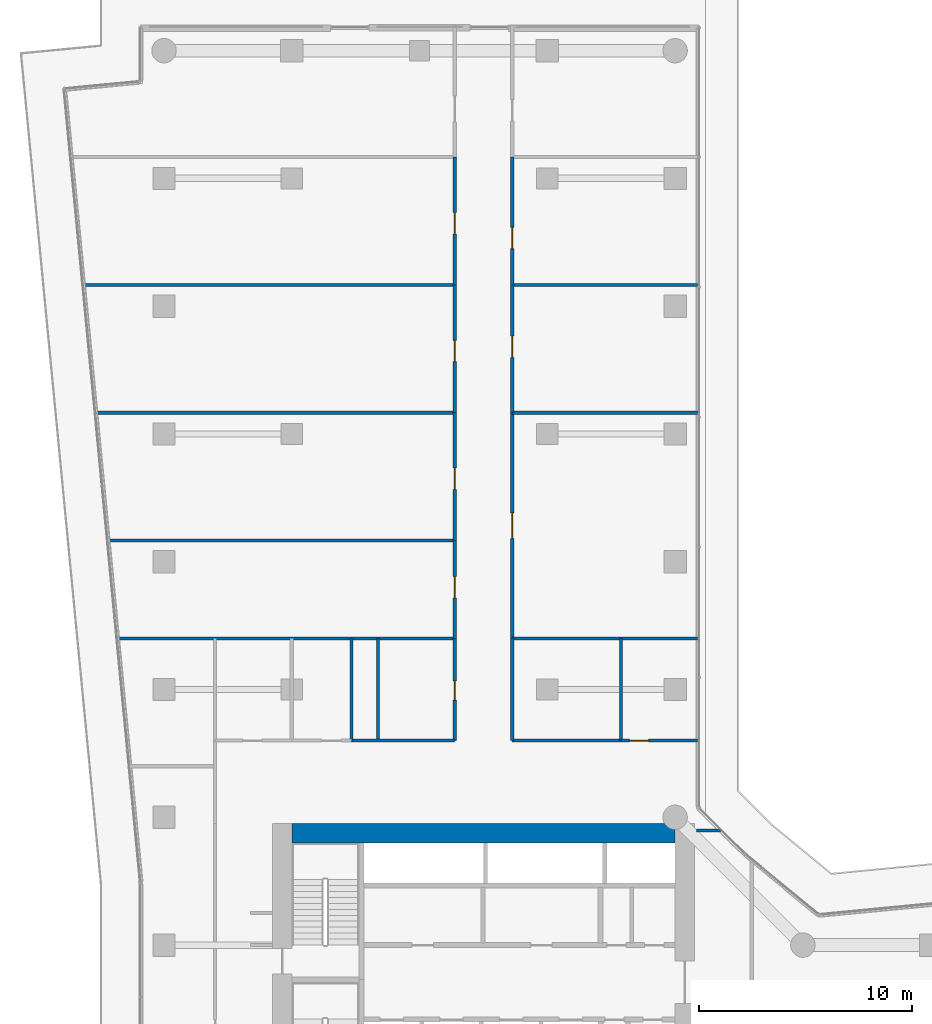
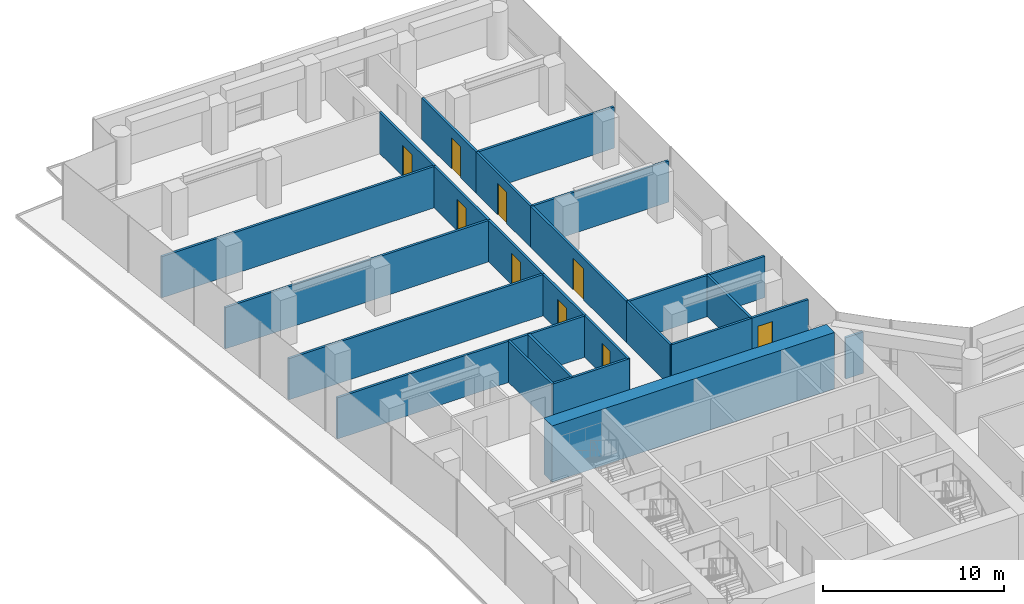
# One storey, part 26 of 30: 24 walls, 9 doors, 9 openings.
"""IFC4 building model written with IfcOpenShell, lengths in metres."""

from ifc_helpers import new_model, si_unit, direction, frame, frame_2d, origin, place, context, subcontext, project, spatial, rectangle, extrude, material, layer, layer_set, type_object, element, fill, save


model = new_model("IFC4")

# Units and contexts
model_context = context("Model", 3, precision=1e-05, world=origin(), true_north=direction((0.0, 1.0)))
body_context = subcontext(model_context, "Body", "Model", "MODEL_VIEW")
ifc_project = project(units=[si_unit("LENGTHUNIT", "METRE"), si_unit("AREAUNIT", "SQUARE_METRE"), si_unit("VOLUMEUNIT", "CUBIC_METRE"), si_unit("PLANEANGLEUNIT", "RADIAN"), si_unit("MASSUNIT", "GRAM", prefix="KILO")], contexts=[model_context])

# Site, building, storey
site_placement = place(None, origin())
site = spatial("IfcSite", under=ifc_project, at=site_placement, CompositionType="ELEMENT")
building_placement = place(site_placement, origin())
building = spatial("IfcBuilding", under=site, at=building_placement, Name="Welwitschia Terrace Campus", CompositionType="ELEMENT")
storey_placement = place(building_placement, frame((0.0, 0.0, 75.199951171875)))
storey = spatial("IfcBuildingStorey", under=building, at=storey_placement, Name="L17", CompositionType="ELEMENT", Elevation=75.199951171875)

# Walls
ifc_material_1 = material(Name="Concrete C70/85", Category="concrete")
ifc_layer_1 = layer(ifc_material_1, 0.89990234375)
ifc_layer_set_1 = layer_set([ifc_layer_1], Name="Concrete C70/85")
wall_type_1 = type_object("IfcWallType", Name="Core wall 900 Concrete C70/85", PredefinedType="SHEAR", material=ifc_layer_set_1)
wall_1_placement = place(storey_placement, frame((6.0, 25.25, 0.0), z_axis=(0.0, 0.0, 1.0), x_axis=(1.0, 0.0, 0.0)))
element("IfcWall", 1, at=wall_1_placement, inside=storey, type_object=wall_type_1, Name="Core outer wall", PredefinedType="SHEAR", context=body_context, shape_type="SweptSolid", body=[
    extrude(rectangle(XDim=18.0, YDim=0.89990234375, at=frame_2d((9.0, 0.0))), origin(), (0.0, 0.0, 1.0), 3.800048828125),
])
ifc_material_2 = material(Name="Gypsum board on steel studs", Category="steel")
ifc_layer_2 = layer(ifc_material_2, 0.14990234375)
ifc_layer_set_2 = layer_set([ifc_layer_2], Name="Gypsum board on steel studs")
wall_type_2 = type_object("IfcWallType", Name="Corridor partition 150 EI 30", PredefinedType="PARTITIONING", material=ifc_layer_set_2)
wall_2_placement = place(storey_placement, frame((-3.77001953125, 51.0, 0.0), z_axis=(0.0, 0.0, 1.0), x_axis=(1.0, 0.0, 0.0)))
element("IfcWall", 2, at=wall_2_placement, inside=storey, type_object=wall_type_2, Name="Partition", PredefinedType="PARTITIONING", context=body_context, shape_type="SweptSolid", body=[
    extrude(rectangle(XDim=17.419921875, YDim=0.14990234375, at=frame_2d((8.7099609375, 0.0))), origin(), (0.0, 0.0, 1.0), 2.780029296875),
])
wall_3_placement = place(storey_placement, frame((-3.18994140625, 45.0, 0.0), z_axis=(0.0, 0.0, 1.0), x_axis=(1.0, 0.0, 0.0)))
element("IfcWall", 3, at=wall_3_placement, inside=storey, type_object=wall_type_2, Name="Partition", PredefinedType="PARTITIONING", context=body_context, shape_type="SweptSolid", body=[
    extrude(rectangle(XDim=16.83984375, YDim=0.14990234375, at=frame_2d((8.419921875, 0.0))), origin(), (0.0, 0.0, 1.0), 2.780029296875),
])
wall_4_placement = place(storey_placement, frame((-2.610107421875, 39.0, 0.0), z_axis=(0.0, 0.0, 1.0), x_axis=(1.0, 0.0, 0.0)))
element("IfcWall", 4, at=wall_4_placement, inside=storey, type_object=wall_type_2, Name="Partition", PredefinedType="PARTITIONING", context=body_context, shape_type="SweptSolid", body=[
    extrude(rectangle(XDim=16.260009765625, YDim=0.14990234375, at=frame_2d((8.1298828125, 0.0))), origin(), (0.0, 0.0, 1.0), 2.780029296875),
])
wall_5_placement = place(storey_placement, frame((-2.169921875, 34.39990234375, 0.0), z_axis=(0.0, 0.0, 1.0), x_axis=(1.0, 0.0, 0.0)))
element("IfcWall", 5, at=wall_5_placement, inside=storey, type_object=wall_type_2, Name="Partition", PredefinedType="PARTITIONING", context=body_context, shape_type="SweptSolid", body=[
    extrude(rectangle(XDim=15.81982421875, YDim=0.14990234375, at=frame_2d((7.909912109375, 0.0))), origin(), (0.0, 0.0, 1.0), 2.780029296875),
])
wall_6_placement = place(storey_placement, frame((8.800048828125, 29.60009765625, 0.0), z_axis=(0.0, 0.0, 1.0), x_axis=(0.0, 1.0, 0.0)))
element("IfcWall", 6, at=wall_6_placement, inside=storey, type_object=wall_type_2, Name="Partition", PredefinedType="PARTITIONING", context=body_context, shape_type="SweptSolid", body=[
    extrude(rectangle(XDim=4.7998046875, YDim=0.14990234375, at=frame_2d((2.39990234375, 0.0))), origin(), (0.0, 0.0, 1.0), 2.780029296875),
])
wall_7_placement = place(storey_placement, frame((8.800048828125, 29.60009765625, 0.0), z_axis=(0.0, 0.0, 1.0), x_axis=(1.0, 0.0, 0.0)))
element("IfcWall", 7, at=wall_7_placement, inside=storey, type_object=wall_type_2, Name="Partition", PredefinedType="PARTITIONING", context=body_context, shape_type="SweptSolid", body=[
    extrude(rectangle(XDim=4.849853515625, YDim=0.14990234375, at=frame_2d((2.4248046875, 0.0))), origin(), (0.0, 0.0, 1.0), 2.780029296875),
])
wall_8_placement = place(storey_placement, frame((10.050048828125, 29.60009765625, 0.0), z_axis=(0.0, 0.0, 1.0), x_axis=(0.0, 1.0, 0.0)))
element("IfcWall", 8, at=wall_8_placement, inside=storey, type_object=wall_type_2, Name="Partition", PredefinedType="PARTITIONING", context=body_context, shape_type="SweptSolid", body=[
    extrude(rectangle(XDim=4.7998046875, YDim=0.14990234375, at=frame_2d((2.39990234375, 0.0))), origin(), (0.0, 0.0, 1.0), 2.780029296875),
])

# Wall, opening, door
wall_9_placement = place(storey_placement, frame((13.64990234375, 29.60009765625, 0.0), z_axis=(0.0, 0.0, 1.0), x_axis=(0.0, 1.0, 0.0)))
wall_9 = element("IfcWall", 9, at=wall_9_placement, inside=storey, type_object=wall_type_2, Name="Partition", PredefinedType="PARTITIONING", context=body_context, shape_type="SweptSolid", body=[
    extrude(rectangle(XDim=4.7998046875, YDim=0.14990234375, at=frame_2d((2.39990234375, 0.0))), origin(), (0.0, 0.0, 1.0), 2.780029296875),
])
opening_1_placement = place(wall_9_placement, frame((1.89990234375, 0.0, 0.0)))
opening_1 = element("IfcOpeningElement", 10, at=opening_1_placement, cuts=wall_9, Name="Opening DI09", PredefinedType="OPENING", context=body_context, shape_type="SweptSolid", body=[
    extrude(rectangle(XDim=0.89990234375, YDim=2.10009765625, at=frame_2d((0.449951171875, 1.050048828125))), frame((0.0, 0.0849609375, 0.0), z_axis=(0.0, -1.0, 0.0), x_axis=(1.0, 0.0, 0.0)), (0.0, 0.0, 1.0), 0.169921875),
])
ifc_material_3 = material(Name="Timber veneered door", Category="wood")
door_type_1 = type_object("IfcDoorType", Name="Interior door DI09", OperationType="NOTDEFINED", PredefinedType="DOOR", material=ifc_material_3)
door_1_placement = place(opening_1_placement, origin())
door_1 = element("IfcDoor", 11, at=door_1_placement, inside=storey, type_object=door_type_1, Name="Door L17 387", OperationType="SINGLE_SWING_RIGHT", OverallHeight=2.10009765625, OverallWidth=0.89990234375, PredefinedType="DOOR", context=body_context, shape_type="SweptSolid", body=[
    extrude(rectangle(XDim=0.89990234375, YDim=2.10009765625, at=frame_2d((0.449951171875, 1.050048828125))), frame((0.0, 0.02490234375, 0.0), z_axis=(0.0, -1.0, 0.0), x_axis=(1.0, 0.0, 0.0)), (0.0, 0.0, 1.0), 0.050048828125),
])
fill(opening_1, door_1)

wall_10_placement = place(storey_placement, frame((13.64990234375, 34.39990234375, 0.0), z_axis=(0.0, 0.0, 1.0), x_axis=(0.0, 1.0, 0.0)))
wall_10 = element("IfcWall", 12, at=wall_10_placement, inside=storey, type_object=wall_type_2, Name="Partition", PredefinedType="PARTITIONING", context=body_context, shape_type="SweptSolid", body=[
    extrude(rectangle(XDim=4.60009765625, YDim=0.14990234375, at=frame_2d((2.300048828125, 0.0))), origin(), (0.0, 0.0, 1.0), 2.780029296875),
])
opening_2_placement = place(wall_10_placement, frame((1.89990234375, 0.0, 0.0)))
opening_2 = element("IfcOpeningElement", 13, at=opening_2_placement, cuts=wall_10, Name="Opening DI10", PredefinedType="OPENING", context=body_context, shape_type="SweptSolid", body=[
    extrude(rectangle(XDim=1.0, YDim=2.10009765625, at=frame_2d((0.5, 1.050048828125))), frame((0.0, 0.0849609375, 0.0), z_axis=(0.0, -1.0, 0.0), x_axis=(1.0, 0.0, 0.0)), (0.0, 0.0, 1.0), 0.169921875),
])
ifc_material_4 = material(Name="Timber veneered door", Category="wood")
door_type_2 = type_object("IfcDoorType", Name="Interior door DI10", OperationType="NOTDEFINED", PredefinedType="DOOR", material=ifc_material_4)
door_2_placement = place(opening_2_placement, origin())
door_2 = element("IfcDoor", 14, at=door_2_placement, inside=storey, type_object=door_type_2, Name="Door L17 388", OperationType="SINGLE_SWING_LEFT", OverallHeight=2.10009765625, OverallWidth=1.0, PredefinedType="DOOR", context=body_context, shape_type="SweptSolid", body=[
    extrude(rectangle(XDim=1.0, YDim=2.10009765625, at=frame_2d((0.5, 1.050048828125))), frame((0.0, 0.02490234375, 0.0), z_axis=(0.0, -1.0, 0.0), x_axis=(1.0, 0.0, 0.0)), (0.0, 0.0, 1.0), 0.050048828125),
])
fill(opening_2, door_2)

wall_11_placement = place(storey_placement, frame((13.64990234375, 39.0, 0.0), z_axis=(0.0, 0.0, 1.0), x_axis=(0.0, 1.0, 0.0)))
wall_11 = element("IfcWall", 15, at=wall_11_placement, inside=storey, type_object=wall_type_2, Name="Partition", PredefinedType="PARTITIONING", context=body_context, shape_type="SweptSolid", body=[
    extrude(rectangle(XDim=6.0, YDim=0.14990234375, at=frame_2d((3.0, 0.0))), origin(), (0.0, 0.0, 1.0), 2.780029296875),
])
opening_3_placement = place(wall_11_placement, frame((2.39990234375, 0.0, 0.0)))
opening_3 = element("IfcOpeningElement", 16, at=opening_3_placement, cuts=wall_11, Name="Opening DI10", PredefinedType="OPENING", context=body_context, shape_type="SweptSolid", body=[
    extrude(rectangle(XDim=1.0, YDim=2.10009765625, at=frame_2d((0.5, 1.050048828125))), frame((0.0, 0.0849609375, 0.0), z_axis=(0.0, -1.0, 0.0), x_axis=(1.0, 0.0, 0.0)), (0.0, 0.0, 1.0), 0.169921875),
])
door_3_placement = place(opening_3_placement, origin())
door_3 = element("IfcDoor", 17, at=door_3_placement, inside=storey, type_object=door_type_2, Name="Door L17 389", OperationType="SINGLE_SWING_RIGHT", OverallHeight=2.10009765625, OverallWidth=1.0, PredefinedType="DOOR", context=body_context, shape_type="SweptSolid", body=[
    extrude(rectangle(XDim=1.0, YDim=2.10009765625, at=frame_2d((0.5, 1.050048828125))), frame((0.0, 0.02490234375, 0.0), z_axis=(0.0, -1.0, 0.0), x_axis=(1.0, 0.0, 0.0)), (0.0, 0.0, 1.0), 0.050048828125),
])
fill(opening_3, door_3)

wall_12_placement = place(storey_placement, frame((13.64990234375, 45.0, 0.0), z_axis=(0.0, 0.0, 1.0), x_axis=(0.0, 1.0, 0.0)))
wall_12 = element("IfcWall", 18, at=wall_12_placement, inside=storey, type_object=wall_type_2, Name="Partition", PredefinedType="PARTITIONING", context=body_context, shape_type="SweptSolid", body=[
    extrude(rectangle(XDim=6.0, YDim=0.14990234375, at=frame_2d((3.0, 0.0))), origin(), (0.0, 0.0, 1.0), 2.780029296875),
])
opening_4_placement = place(wall_12_placement, frame((2.39990234375, 0.0, 0.0)))
opening_4 = element("IfcOpeningElement", 19, at=opening_4_placement, cuts=wall_12, Name="Opening DI10", PredefinedType="OPENING", context=body_context, shape_type="SweptSolid", body=[
    extrude(rectangle(XDim=1.0, YDim=2.10009765625, at=frame_2d((0.5, 1.050048828125))), frame((0.0, 0.0849609375, 0.0), z_axis=(0.0, -1.0, 0.0), x_axis=(1.0, 0.0, 0.0)), (0.0, 0.0, 1.0), 0.169921875),
])
door_4_placement = place(opening_4_placement, origin())
door_4 = element("IfcDoor", 20, at=door_4_placement, inside=storey, type_object=door_type_2, Name="Door L17 390", OperationType="SINGLE_SWING_LEFT", OverallHeight=2.10009765625, OverallWidth=1.0, PredefinedType="DOOR", context=body_context, shape_type="SweptSolid", body=[
    extrude(rectangle(XDim=1.0, YDim=2.10009765625, at=frame_2d((0.5, 1.050048828125))), frame((0.0, 0.02490234375, 0.0), z_axis=(0.0, -1.0, 0.0), x_axis=(1.0, 0.0, 0.0)), (0.0, 0.0, 1.0), 0.050048828125),
])
fill(opening_4, door_4)

wall_13_placement = place(storey_placement, frame((13.64990234375, 51.0, 0.0), z_axis=(0.0, 0.0, 1.0), x_axis=(0.0, 1.0, 0.0)))
wall_13 = element("IfcWall", 21, at=wall_13_placement, inside=storey, type_object=wall_type_2, Name="Partition", PredefinedType="PARTITIONING", context=body_context, shape_type="SweptSolid", body=[
    extrude(rectangle(XDim=6.0, YDim=0.14990234375, at=frame_2d((3.0, 0.0))), origin(), (0.0, 0.0, 1.0), 2.780029296875),
])
opening_5_placement = place(wall_13_placement, frame((2.39990234375, 0.0, 0.0)))
opening_5 = element("IfcOpeningElement", 22, at=opening_5_placement, cuts=wall_13, Name="Opening DI10", PredefinedType="OPENING", context=body_context, shape_type="SweptSolid", body=[
    extrude(rectangle(XDim=1.0, YDim=2.10009765625, at=frame_2d((0.5, 1.050048828125))), frame((0.0, 0.0849609375, 0.0), z_axis=(0.0, -1.0, 0.0), x_axis=(1.0, 0.0, 0.0)), (0.0, 0.0, 1.0), 0.169921875),
])
door_5_placement = place(opening_5_placement, origin())
door_5 = element("IfcDoor", 23, at=door_5_placement, inside=storey, type_object=door_type_2, Name="Door L17 391", OperationType="SINGLE_SWING_RIGHT", OverallHeight=2.10009765625, OverallWidth=1.0, PredefinedType="DOOR", context=body_context, shape_type="SweptSolid", body=[
    extrude(rectangle(XDim=1.0, YDim=2.10009765625, at=frame_2d((0.5, 1.050048828125))), frame((0.0, 0.02490234375, 0.0), z_axis=(0.0, -1.0, 0.0), x_axis=(1.0, 0.0, 0.0)), (0.0, 0.0, 1.0), 0.050048828125),
])
fill(opening_5, door_5)

# Walls
wall_14_placement = place(storey_placement, frame((16.35009765625, 29.60009765625, 0.0), z_axis=(0.0, 0.0, 1.0), x_axis=(0.0, 1.0, 0.0)))
element("IfcWall", 24, at=wall_14_placement, inside=storey, type_object=wall_type_2, Name="Partition", PredefinedType="PARTITIONING", context=body_context, shape_type="SweptSolid", body=[
    extrude(rectangle(XDim=4.7998046875, YDim=0.14990234375, at=frame_2d((2.39990234375, 0.0))), origin(), (0.0, 0.0, 1.0), 2.780029296875),
])
wall_15_placement = place(storey_placement, frame((16.35009765625, 29.60009765625, 0.0), z_axis=(0.0, 0.0, 1.0), x_axis=(1.0, 0.0, 0.0)))
element("IfcWall", 25, at=wall_15_placement, inside=storey, type_object=wall_type_2, Name="Partition", PredefinedType="PARTITIONING", context=body_context, shape_type="SweptSolid", body=[
    extrude(rectangle(XDim=5.10986328125, YDim=0.14990234375, at=frame_2d((2.554931640625, 0.0))), origin(), (0.0, 0.0, 1.0), 2.780029296875),
])
wall_16_placement = place(storey_placement, frame((16.35009765625, 34.39990234375, 0.0), z_axis=(0.0, 0.0, 1.0), x_axis=(1.0, 0.0, 0.0)))
element("IfcWall", 26, at=wall_16_placement, inside=storey, type_object=wall_type_2, Name="Partition", PredefinedType="PARTITIONING", context=body_context, shape_type="SweptSolid", body=[
    extrude(rectangle(XDim=8.7099609375, YDim=0.14990234375, at=frame_2d((4.35498046875, 0.0))), origin(), (0.0, 0.0, 1.0), 2.780029296875),
])

# Wall, opening, door
wall_17_placement = place(storey_placement, frame((16.35009765625, 45.0, 0.0), z_axis=(0.0, 0.0, 1.0), x_axis=(0.0, -1.0, 0.0)))
wall_17 = element("IfcWall", 27, at=wall_17_placement, inside=storey, type_object=wall_type_2, Name="Partition", PredefinedType="PARTITIONING", context=body_context, shape_type="SweptSolid", body=[
    extrude(rectangle(XDim=10.60009765625, YDim=0.14990234375, at=frame_2d((5.300048828125, 0.0))), origin(), (0.0, 0.0, 1.0), 2.780029296875),
])
opening_6_placement = place(wall_17_placement, frame((4.699951171875, 0.0, 0.0)))
opening_6 = element("IfcOpeningElement", 28, at=opening_6_placement, cuts=wall_17, Name="Opening DI12", PredefinedType="OPENING", context=body_context, shape_type="SweptSolid", body=[
    extrude(rectangle(XDim=1.199951171875, YDim=2.10009765625, at=frame_2d((0.60009765625, 1.050048828125))), frame((0.0, 0.0849609375, 0.0), z_axis=(0.0, -1.0, 0.0), x_axis=(1.0, 0.0, 0.0)), (0.0, 0.0, 1.0), 0.169921875),
])
ifc_material_5 = material(Name="Timber veneered door", Category="wood")
door_type_3 = type_object("IfcDoorType", Name="Interior door DI12", OperationType="NOTDEFINED", PredefinedType="DOOR", material=ifc_material_5)
door_6_placement = place(opening_6_placement, origin())
door_6 = element("IfcDoor", 29, at=door_6_placement, inside=storey, type_object=door_type_3, Name="Door L17 393", OperationType="SINGLE_SWING_RIGHT", OverallHeight=2.10009765625, OverallWidth=1.199951171875, PredefinedType="DOOR", context=body_context, shape_type="SweptSolid", body=[
    extrude(rectangle(XDim=1.199951171875, YDim=2.10009765625, at=frame_2d((0.60009765625, 1.050048828125))), frame((0.0, 0.02490234375, 0.0), z_axis=(0.0, -1.0, 0.0), x_axis=(1.0, 0.0, 0.0)), (0.0, 0.0, 1.0), 0.050048828125),
])
fill(opening_6, door_6)

# Wall
wall_18_placement = place(storey_placement, frame((16.35009765625, 45.0, 0.0), z_axis=(0.0, 0.0, 1.0), x_axis=(1.0, 0.0, 0.0)))
element("IfcWall", 30, at=wall_18_placement, inside=storey, type_object=wall_type_2, Name="Partition", PredefinedType="PARTITIONING", context=body_context, shape_type="SweptSolid", body=[
    extrude(rectangle(XDim=8.7099609375, YDim=0.14990234375, at=frame_2d((4.35498046875, 0.0))), origin(), (0.0, 0.0, 1.0), 2.780029296875),
])

# Wall, opening, door
wall_19_placement = place(storey_placement, frame((16.35009765625, 51.0, 0.0), z_axis=(0.0, 0.0, 1.0), x_axis=(0.0, -1.0, 0.0)))
wall_19 = element("IfcWall", 31, at=wall_19_placement, inside=storey, type_object=wall_type_2, Name="Partition", PredefinedType="PARTITIONING", context=body_context, shape_type="SweptSolid", body=[
    extrude(rectangle(XDim=6.0, YDim=0.14990234375, at=frame_2d((3.0, 0.0))), origin(), (0.0, 0.0, 1.0), 2.780029296875),
])
opening_7_placement = place(wall_19_placement, frame((2.39990234375, 0.0, 0.0)))
opening_7 = element("IfcOpeningElement", 32, at=opening_7_placement, cuts=wall_19, Name="Opening DI10", PredefinedType="OPENING", context=body_context, shape_type="SweptSolid", body=[
    extrude(rectangle(XDim=1.0, YDim=2.10009765625, at=frame_2d((0.5, 1.050048828125))), frame((0.0, 0.0849609375, 0.0), z_axis=(0.0, -1.0, 0.0), x_axis=(1.0, 0.0, 0.0)), (0.0, 0.0, 1.0), 0.169921875),
])
door_7_placement = place(opening_7_placement, origin())
door_7 = element("IfcDoor", 33, at=door_7_placement, inside=storey, type_object=door_type_2, Name="Door L17 394", OperationType="SINGLE_SWING_LEFT", OverallHeight=2.10009765625, OverallWidth=1.0, PredefinedType="DOOR", context=body_context, shape_type="SweptSolid", body=[
    extrude(rectangle(XDim=1.0, YDim=2.10009765625, at=frame_2d((0.5, 1.050048828125))), frame((0.0, 0.02490234375, 0.0), z_axis=(0.0, -1.0, 0.0), x_axis=(1.0, 0.0, 0.0)), (0.0, 0.0, 1.0), 0.050048828125),
])
fill(opening_7, door_7)

# Wall
wall_20_placement = place(storey_placement, frame((16.35009765625, 51.0, 0.0), z_axis=(0.0, 0.0, 1.0), x_axis=(1.0, 0.0, 0.0)))
element("IfcWall", 34, at=wall_20_placement, inside=storey, type_object=wall_type_2, Name="Partition", PredefinedType="PARTITIONING", context=body_context, shape_type="SweptSolid", body=[
    extrude(rectangle(XDim=8.698974609375, YDim=0.14990234375, at=frame_2d((4.349609375, 0.0))), origin(), (0.0, 0.0, 1.0), 2.780029296875),
])

# Wall, opening, door
wall_21_placement = place(storey_placement, frame((16.35009765625, 57.0, 0.0), z_axis=(0.0, 0.0, 1.0), x_axis=(0.0, -1.0, 0.0)))
wall_21 = element("IfcWall", 35, at=wall_21_placement, inside=storey, type_object=wall_type_2, Name="Partition", PredefinedType="PARTITIONING", context=body_context, shape_type="SweptSolid", body=[
    extrude(rectangle(XDim=6.0, YDim=0.14990234375, at=frame_2d((3.0, 0.0))), origin(), (0.0, 0.0, 1.0), 2.780029296875),
])
opening_8_placement = place(wall_21_placement, frame((3.300048828125, 0.0, 0.0)))
opening_8 = element("IfcOpeningElement", 36, at=opening_8_placement, cuts=wall_21, Name="Opening DI10", PredefinedType="OPENING", context=body_context, shape_type="SweptSolid", body=[
    extrude(rectangle(XDim=1.0, YDim=2.10009765625, at=frame_2d((0.5, 1.050048828125))), frame((0.0, 0.0849609375, 0.0), z_axis=(0.0, -1.0, 0.0), x_axis=(1.0, 0.0, 0.0)), (0.0, 0.0, 1.0), 0.169921875),
])
door_8_placement = place(opening_8_placement, origin())
door_8 = element("IfcDoor", 37, at=door_8_placement, inside=storey, type_object=door_type_2, Name="Door L17 395", OperationType="SINGLE_SWING_RIGHT", OverallHeight=2.10009765625, OverallWidth=1.0, PredefinedType="DOOR", context=body_context, shape_type="SweptSolid", body=[
    extrude(rectangle(XDim=1.0, YDim=2.10009765625, at=frame_2d((0.5, 1.050048828125))), frame((0.0, 0.02490234375, 0.0), z_axis=(0.0, -1.0, 0.0), x_axis=(1.0, 0.0, 0.0)), (0.0, 0.0, 1.0), 0.050048828125),
])
fill(opening_8, door_8)

# Wall
wall_22_placement = place(storey_placement, frame((21.4599609375, 29.60009765625, 0.0), z_axis=(0.0, 0.0, 1.0), x_axis=(0.0, 1.0, 0.0)))
element("IfcWall", 38, at=wall_22_placement, inside=storey, type_object=wall_type_2, Name="Partition", PredefinedType="PARTITIONING", context=body_context, shape_type="SweptSolid", body=[
    extrude(rectangle(XDim=4.7998046875, YDim=0.14990234375, at=frame_2d((2.39990234375, 0.0))), origin(), (0.0, 0.0, 1.0), 2.780029296875),
])

# Wall, opening, door
wall_23_placement = place(storey_placement, frame((21.4599609375, 29.60009765625, 0.0), z_axis=(0.0, 0.0, 1.0), x_axis=(1.0, 0.0, 0.0)))
wall_23 = element("IfcWall", 39, at=wall_23_placement, inside=storey, type_object=wall_type_2, Name="Partition", PredefinedType="PARTITIONING", context=body_context, shape_type="SweptSolid", body=[
    extrude(rectangle(XDim=3.60009765625, YDim=0.14990234375, at=frame_2d((1.800048828125, 0.0))), origin(), (0.0, 0.0, 1.0), 2.780029296875),
])
opening_9_placement = place(wall_23_placement, frame((0.39990234375, 0.0, 0.0)))
opening_9 = element("IfcOpeningElement", 40, at=opening_9_placement, cuts=wall_23, Name="Opening DI09", PredefinedType="OPENING", context=body_context, shape_type="SweptSolid", body=[
    extrude(rectangle(XDim=0.89990234375, YDim=2.10009765625, at=frame_2d((0.449951171875, 1.050048828125))), frame((0.0, 0.0849609375, 0.0), z_axis=(0.0, -1.0, 0.0), x_axis=(1.0, 0.0, 0.0)), (0.0, 0.0, 1.0), 0.169921875),
])
door_9_placement = place(opening_9_placement, origin())
door_9 = element("IfcDoor", 41, at=door_9_placement, inside=storey, type_object=door_type_1, Name="Door L17 397", OperationType="SINGLE_SWING_RIGHT", OverallHeight=2.10009765625, OverallWidth=0.89990234375, PredefinedType="DOOR", context=body_context, shape_type="SweptSolid", body=[
    extrude(rectangle(XDim=0.89990234375, YDim=2.10009765625, at=frame_2d((0.449951171875, 1.050048828125))), frame((0.0, 0.02490234375, 0.0), z_axis=(0.0, -1.0, 0.0), x_axis=(1.0, 0.0, 0.0)), (0.0, 0.0, 1.0), 0.050048828125),
])
fill(opening_9, door_9)

# Wall
wall_24_placement = place(storey_placement, frame((25.0, 25.3798828125, 0.0), z_axis=(0.0, 0.0, 1.0), x_axis=(1.0, 0.0, 0.0)))
element("IfcWall", 42, at=wall_24_placement, inside=storey, type_object=wall_type_2, Name="Partition", PredefinedType="PARTITIONING", context=body_context, shape_type="SweptSolid", body=[
    extrude(rectangle(XDim=1.1298828125, YDim=0.14990234375, at=frame_2d((0.56494140625, 0.0))), origin(), (0.0, 0.0, 1.0), 2.780029296875),
])

save(model, "model.ifc")
